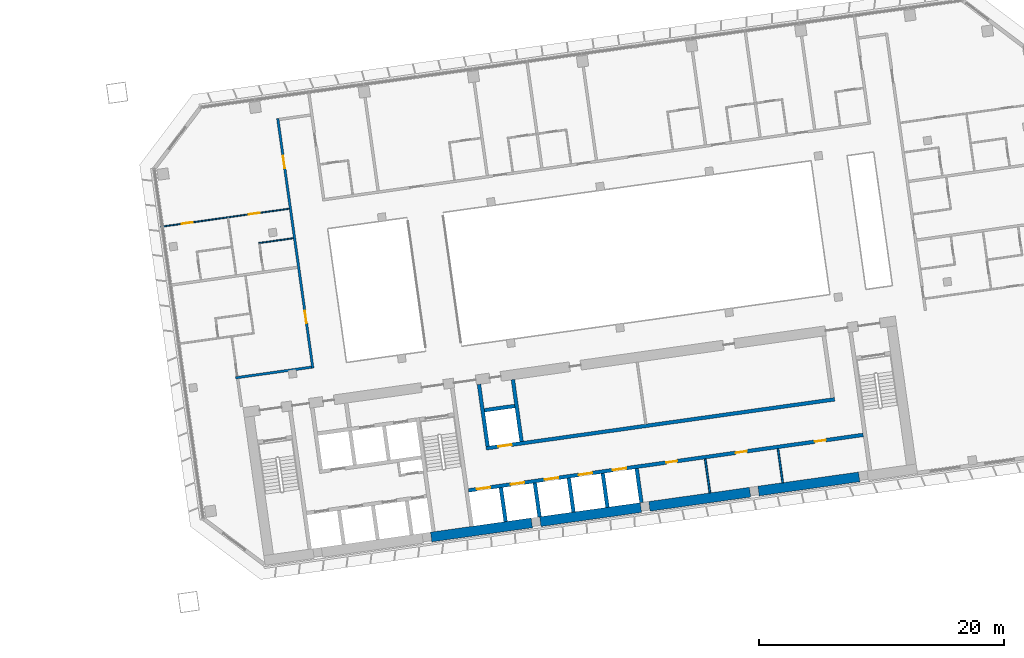
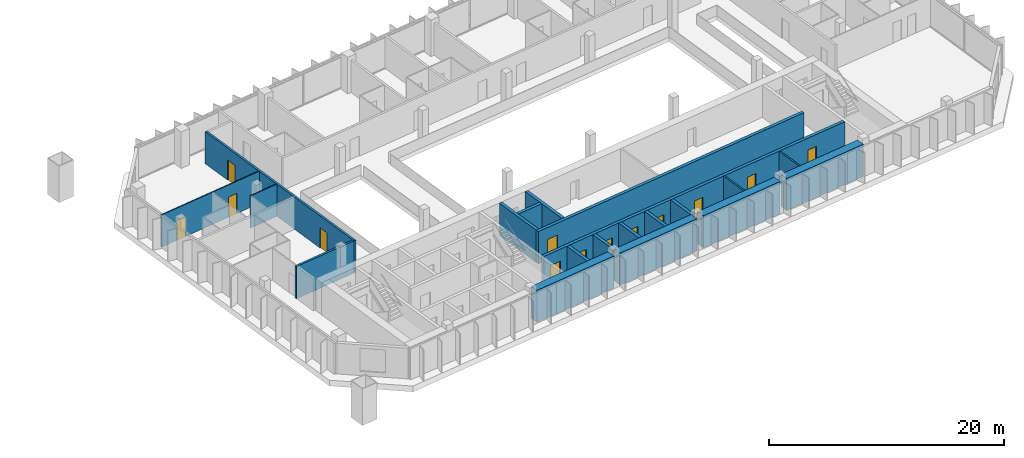
# One storey, part 19 of 26: 20 walls, 13 doors, 13 openings.
"""IFC4 building model written with IfcOpenShell, lengths in metres."""

from ifc_helpers import new_model, si_unit, direction, frame, frame_2d, origin, place, context, subcontext, project, spatial, rectangle, extrude, material, layer, layer_set, type_object, element, fill, save


model = new_model("IFC4")

# Units and contexts
model_context = context("Model", 3, precision=1e-05, world=origin(), true_north=direction((0.0, 1.0)))
body_context = subcontext(model_context, "Body", "Model", "MODEL_VIEW")
ifc_project = project(units=[si_unit("LENGTHUNIT", "METRE"), si_unit("AREAUNIT", "SQUARE_METRE"), si_unit("VOLUMEUNIT", "CUBIC_METRE"), si_unit("PLANEANGLEUNIT", "RADIAN"), si_unit("MASSUNIT", "GRAM", prefix="KILO")], contexts=[model_context])

# Site, building, storey
site_placement = place(None, origin())
site = spatial("IfcSite", under=ifc_project, at=site_placement, CompositionType="ELEMENT")
building_placement = place(site_placement, origin())
building = spatial("IfcBuilding", under=site, at=building_placement, Name="Mirante Cascada Hotel Towers", CompositionType="ELEMENT")
storey_placement = place(building_placement, frame((0.0, 0.0, 113.9)))
storey = spatial("IfcBuildingStorey", under=building, at=storey_placement, Name="L25", CompositionType="ELEMENT", Elevation=113.9)

# Wall
ifc_material_1 = material(Name="Fire-rated plasterboard on metal studs")
ifc_layer_1 = layer(ifc_material_1, 0.2)
ifc_layer_set_1 = layer_set([ifc_layer_1], Name="Compartment wall 200 EI 120")
wall_type_1 = type_object("IfcWallType", Name="Compartment wall 200 EI 120", PredefinedType="PARTITIONING", material=ifc_layer_set_1)
wall_1_placement = place(storey_placement, frame((34.7809, -4.7615, 0.0), z_axis=(0.0, 0.0, 1.0), x_axis=(0.9902685, 0.1391698, 0.0)))
element("IfcWall", 1, at=wall_1_placement, inside=storey, type_object=wall_type_1, Name="Wall 2-L25-02", PredefinedType="PARTITIONING", context=body_context, shape_type="SweptSolid", body=[
    extrude(rectangle(XDim=6.2499, YDim=0.2, at=frame_2d((3.125, 0.0))), origin(), (0.0, 0.0, 1.0), 3.35),
])

# Wall, openings, doors
wall_2_placement = place(storey_placement, frame((38.216, 16.4227, 0.0), z_axis=(0.0, 0.0, 1.0), x_axis=(0.1391749, -0.9902678, 0.0)))
wall_2 = element("IfcWall", 2, at=wall_2_placement, inside=storey, type_object=wall_type_1, Name="Wall 2-L25-33", PredefinedType="PARTITIONING", context=body_context, shape_type="SweptSolid", body=[
    extrude(rectangle(XDim=20.6, YDim=0.2, at=frame_2d((10.3, 0.0))), origin(), (0.0, 0.0, 1.0), 3.35),
])
opening_1_placement = place(wall_2_placement, frame((15.8834, 0.0, 0.0)))
opening_1 = element("IfcOpeningElement", 3, at=opening_1_placement, cuts=wall_2, Name="Opening D2-L25-26", PredefinedType="OPENING", context=body_context, shape_type="SweptSolid", body=[
    extrude(rectangle(XDim=1.0, YDim=2.1, at=frame_2d((0.5, 1.05))), frame((0.0, 0.1, 0.0), z_axis=(0.0, -1.0, 0.0), x_axis=(1.0, 0.0, 0.0)), (0.0, 0.0, 1.0), 0.2),
])
opening_2_placement = place(wall_2_placement, frame((3.1, 0.0, 0.0)))
opening_2 = element("IfcOpeningElement", 4, at=opening_2_placement, cuts=wall_2, Name="Opening D2-L25-27", PredefinedType="OPENING", context=body_context, shape_type="SweptSolid", body=[
    extrude(rectangle(XDim=1.0, YDim=2.1, at=frame_2d((0.5, 1.05))), frame((0.0, 0.1, 0.0), z_axis=(0.0, -1.0, 0.0), x_axis=(1.0, 0.0, 0.0)), (0.0, 0.0, 1.0), 0.2),
])
ifc_material_2 = material(Name="Fire-rated timber door leaf", Category="wood")
door_type_1 = type_object("IfcDoorType", Name="Entrance door DG1 1000x2100 EI 60", OperationType="SINGLE_SWING_LEFT", PredefinedType="DOOR", material=ifc_material_2)
door_1_placement = place(opening_1_placement, frame((1.0, 0.0, 0.0), z_axis=(0.0, 0.0, 1.0), x_axis=(-1.0, 0.0, 0.0)))
door_1 = element("IfcDoor", 5, at=door_1_placement, inside=storey, type_object=door_type_1, Name="Door D2-L25-26", OperationType="SINGLE_SWING_RIGHT", OverallHeight=2.1, OverallWidth=1.0, PredefinedType="DOOR", context=body_context, shape_type="SweptSolid", body=[
    extrude(rectangle(XDim=1.0, YDim=2.1, at=frame_2d((0.5, 1.05))), frame((0.0, 0.025, 0.0), z_axis=(0.0, -1.0, 0.0), x_axis=(1.0, 0.0, 0.0)), (0.0, 0.0, 1.0), 0.05),
])
fill(opening_1, door_1)
door_2_placement = place(opening_2_placement, frame((1.0, 0.0, 0.0), z_axis=(0.0, 0.0, 1.0), x_axis=(-1.0, 0.0, 0.0)))
door_2 = element("IfcDoor", 6, at=door_2_placement, inside=storey, type_object=door_type_1, Name="Door D2-L25-27", OperationType="SINGLE_SWING_RIGHT", OverallHeight=2.1, OverallWidth=1.0, PredefinedType="DOOR", context=body_context, shape_type="SweptSolid", body=[
    extrude(rectangle(XDim=1.0, YDim=2.1, at=frame_2d((0.5, 1.05))), frame((0.0, 0.025, 0.0), z_axis=(0.0, -1.0, 0.0), x_axis=(1.0, 0.0, 0.0)), (0.0, 0.0, 1.0), 0.05),
])
fill(opening_2, door_2)

# Walls
ifc_material_3 = material(Name="Masonry block", Category="masonry")
ifc_layer_2 = layer(ifc_material_3, 0.15)
ifc_layer_set_2 = layer_set([ifc_layer_2], Name="Core room partition 150 block EI 30")
wall_type_2 = type_object("IfcWallType", Name="Core room partition 150 block EI 30", PredefinedType="PARTITIONING", material=ifc_layer_set_2)
wall_3_placement = place(storey_placement, frame((73.5161, -14.1621, 0.0), z_axis=(0.0, 0.0, 1.0), x_axis=(-0.139176, 0.9902677, 0.0)))
element("IfcWall", 7, at=wall_3_placement, inside=storey, type_object=wall_type_2, Name="Core wall partition T2 L25 4", PredefinedType="PARTITIONING", context=body_context, shape_type="SweptSolid", body=[
    extrude(rectangle(XDim=2.8001, YDim=0.15, at=frame_2d((1.4, 0.0))), origin(), (0.0, 0.0, 1.0), 3.35),
])
wall_4_placement = place(storey_placement, frame((79.4577, -13.327, 0.0), z_axis=(0.0, 0.0, 1.0), x_axis=(-0.1391459, 0.9902719, 0.0)))
element("IfcWall", 8, at=wall_4_placement, inside=storey, type_object=wall_type_2, Name="Core wall partition T2 L25 5", PredefinedType="PARTITIONING", context=body_context, shape_type="SweptSolid", body=[
    extrude(rectangle(XDim=2.7999, YDim=0.15, at=frame_2d((1.4, 0.0))), origin(), (0.0, 0.0, 1.0), 3.35),
])
ifc_material_4 = material(Name="Plasterboard on metal studs")
ifc_layer_3 = layer(ifc_material_4, 0.1)
ifc_layer_set_3 = layer_set([ifc_layer_3], Name="Partition 100")
wall_type_3 = type_object("IfcWallType", Name="Partition 100", PredefinedType="PARTITIONING", material=ifc_layer_set_3)
wall_5_placement = place(storey_placement, frame((36.6679, 6.2415, 0.0), z_axis=(0.0, 0.0, 1.0), x_axis=(0.9902704, 0.1391564, 0.0)))
element("IfcWall", 9, at=wall_5_placement, inside=storey, type_object=wall_type_3, Name="Wall 2-L25-12", PredefinedType="PARTITIONING", context=body_context, shape_type="SweptSolid", body=[
    extrude(rectangle(XDim=2.85, YDim=0.1, at=frame_2d((1.425, 0.0))), origin(), (0.0, 0.0, 1.0), 3.35),
])

# Wall, openings, doors
wall_6_placement = place(storey_placement, frame((39.1515, 9.0479, 0.0), z_axis=(0.0, 0.0, 1.0), x_axis=(-0.9902671, -0.1391797, 0.0)))
wall_6 = element("IfcWall", 10, at=wall_6_placement, inside=storey, type_object=wall_type_3, Name="Wall 2-L25-15", PredefinedType="PARTITIONING", context=body_context, shape_type="SweptSolid", body=[
    extrude(rectangle(XDim=10.6, YDim=0.1, at=frame_2d((5.3, 0.0))), origin(), (0.0, 0.0, 1.0), 3.35),
])
opening_3_placement = place(wall_6_placement, frame((7.975, 0.0, 0.0)))
opening_3 = element("IfcOpeningElement", 11, at=opening_3_placement, cuts=wall_6, Name="Opening D2-L25-03", PredefinedType="OPENING", context=body_context, shape_type="SweptSolid", body=[
    extrude(rectangle(XDim=0.9, YDim=2.1, at=frame_2d((0.45, 1.05))), frame((0.0, 0.05, 0.0), z_axis=(0.0, -1.0, 0.0), x_axis=(1.0, 0.0, 0.0)), (0.0, 0.0, 1.0), 0.1),
])
opening_4_placement = place(wall_6_placement, frame((2.425, 0.0, 0.0)))
opening_4 = element("IfcOpeningElement", 12, at=opening_4_placement, cuts=wall_6, Name="Opening D2-L25-04", PredefinedType="OPENING", context=body_context, shape_type="SweptSolid", body=[
    extrude(rectangle(XDim=0.9, YDim=2.1, at=frame_2d((0.45, 1.05))), frame((0.0, 0.05, 0.0), z_axis=(0.0, -1.0, 0.0), x_axis=(1.0, 0.0, 0.0)), (0.0, 0.0, 1.0), 0.1),
])
ifc_material_5 = material(Name="Timber door leaf", Category="wood")
door_type_2 = type_object("IfcDoorType", Name="Room door DG3 900x2100", OperationType="SINGLE_SWING_LEFT", PredefinedType="DOOR", material=ifc_material_5)
door_3_placement = place(opening_3_placement, frame((0.9, 0.0, 0.0), z_axis=(0.0, 0.0, 1.0), x_axis=(-1.0, 0.0, 0.0)))
door_3 = element("IfcDoor", 13, at=door_3_placement, inside=storey, type_object=door_type_2, Name="Door D2-L25-03", OperationType="SINGLE_SWING_RIGHT", OverallHeight=2.1, OverallWidth=0.9, PredefinedType="DOOR", context=body_context, shape_type="SweptSolid", body=[
    extrude(rectangle(XDim=0.9, YDim=2.1, at=frame_2d((0.45, 1.05))), frame((0.0, 0.025, 0.0), z_axis=(0.0, -1.0, 0.0), x_axis=(1.0, 0.0, 0.0)), (0.0, 0.0, 1.0), 0.05),
])
fill(opening_3, door_3)
door_4_placement = place(opening_4_placement, frame((0.9, 0.0, 0.0), z_axis=(0.0, 0.0, 1.0), x_axis=(-1.0, 0.0, 0.0)))
door_4 = element("IfcDoor", 14, at=door_4_placement, inside=storey, type_object=door_type_2, Name="Door D2-L25-04", OperationType="SINGLE_SWING_RIGHT", OverallHeight=2.1, OverallWidth=0.9, PredefinedType="DOOR", context=body_context, shape_type="SweptSolid", body=[
    extrude(rectangle(XDim=0.9, YDim=2.1, at=frame_2d((0.45, 1.05))), frame((0.0, 0.025, 0.0), z_axis=(0.0, -1.0, 0.0), x_axis=(1.0, 0.0, 0.0)), (0.0, 0.0, 1.0), 0.05),
])
fill(opening_4, door_4)

ifc_material_6 = material(Name="Concrete C50/60", Category="concrete")
ifc_layer_4 = layer(ifc_material_6, 0.3)
ifc_layer_set_4 = layer_set([ifc_layer_4], Name="RC core wall 300 C50/60")
wall_type_4 = type_object("IfcWallType", Name="RC core wall 300 C50/60", PredefinedType="SHEAR", material=ifc_layer_set_4)
wall_7_placement = place(storey_placement, frame((53.7953, -13.9547, 0.0), z_axis=(0.0, 0.0, 1.0), x_axis=(0.990268, 0.1391733, 0.0)))
wall_7 = element("IfcWall", 15, at=wall_7_placement, inside=storey, type_object=wall_type_4, Name="Core wall T2:L25:24", PredefinedType="SHEAR", context=body_context, shape_type="SweptSolid", body=[
    extrude(rectangle(XDim=32.5501, YDim=0.3, at=frame_2d((16.275, 0.0))), origin(), (0.0, 0.0, 1.0), 3.35),
])
opening_5_placement = place(wall_7_placement, frame((0.7, 0.0, 0.0)))
opening_5 = element("IfcOpeningElement", 16, at=opening_5_placement, cuts=wall_7, Name="Opening LD", PredefinedType="OPENING", context=body_context, shape_type="SweptSolid", body=[
    extrude(rectangle(XDim=1.1, YDim=2.1, at=frame_2d((0.55, 1.05))), frame((0.0, 0.15, 0.0), z_axis=(0.0, -1.0, 0.0), x_axis=(1.0, 0.0, 0.0)), (0.0, 0.0, 1.0), 0.3),
])
opening_6_placement = place(wall_7_placement, frame((3.5, 0.0, 0.0)))
opening_6 = element("IfcOpeningElement", 17, at=opening_6_placement, cuts=wall_7, Name="Opening LD", PredefinedType="OPENING", context=body_context, shape_type="SweptSolid", body=[
    extrude(rectangle(XDim=1.1, YDim=2.1, at=frame_2d((0.55, 1.05))), frame((0.0, 0.15, 0.0), z_axis=(0.0, -1.0, 0.0), x_axis=(1.0, 0.0, 0.0)), (0.0, 0.0, 1.0), 0.3),
])
opening_7_placement = place(wall_7_placement, frame((6.3, 0.0, 0.0)))
opening_7 = element("IfcOpeningElement", 18, at=opening_7_placement, cuts=wall_7, Name="Opening LD", PredefinedType="OPENING", context=body_context, shape_type="SweptSolid", body=[
    extrude(rectangle(XDim=1.1, YDim=2.1, at=frame_2d((0.55, 1.05))), frame((0.0, 0.15, 0.0), z_axis=(0.0, -1.0, 0.0), x_axis=(1.0, 0.0, 0.0)), (0.0, 0.0, 1.0), 0.3),
])
opening_8_placement = place(wall_7_placement, frame((9.1, 0.0, 0.0)))
opening_8 = element("IfcOpeningElement", 19, at=opening_8_placement, cuts=wall_7, Name="Opening LD", PredefinedType="OPENING", context=body_context, shape_type="SweptSolid", body=[
    extrude(rectangle(XDim=1.1, YDim=2.1, at=frame_2d((0.55, 1.05))), frame((0.0, 0.15, 0.0), z_axis=(0.0, -1.0, 0.0), x_axis=(1.0, 0.0, 0.0)), (0.0, 0.0, 1.0), 0.3),
])
opening_9_placement = place(wall_7_placement, frame((11.9, 0.0, 0.0)))
opening_9 = element("IfcOpeningElement", 20, at=opening_9_placement, cuts=wall_7, Name="Opening LD", PredefinedType="OPENING", context=body_context, shape_type="SweptSolid", body=[
    extrude(rectangle(XDim=1.1, YDim=2.1, at=frame_2d((0.55, 1.05))), frame((0.0, 0.15, 0.0), z_axis=(0.0, -1.0, 0.0), x_axis=(1.0, 0.0, 0.0)), (0.0, 0.0, 1.0), 0.3),
])
opening_10_placement = place(wall_7_placement, frame((16.3, 0.0, 0.0)))
opening_10 = element("IfcOpeningElement", 21, at=opening_10_placement, cuts=wall_7, Name="Opening D2-25-C25", PredefinedType="OPENING", context=body_context, shape_type="SweptSolid", body=[
    extrude(rectangle(XDim=0.9, YDim=2.1, at=frame_2d((0.45, 1.05))), frame((0.0, 0.15, 0.0), z_axis=(0.0, -1.0, 0.0), x_axis=(1.0, 0.0, 0.0)), (0.0, 0.0, 1.0), 0.3),
])
opening_11_placement = place(wall_7_placement, frame((22.05, 0.0, 0.0)))
opening_11 = element("IfcOpeningElement", 22, at=opening_11_placement, cuts=wall_7, Name="Opening D2-25-C26", PredefinedType="OPENING", context=body_context, shape_type="SweptSolid", body=[
    extrude(rectangle(XDim=0.9, YDim=2.1, at=frame_2d((0.45, 1.05))), frame((0.0, 0.15, 0.0), z_axis=(0.0, -1.0, 0.0), x_axis=(1.0, 0.0, 0.0)), (0.0, 0.0, 1.0), 0.3),
])
opening_12_placement = place(wall_7_placement, frame((28.575, 0.0, 0.0)))
opening_12 = element("IfcOpeningElement", 23, at=opening_12_placement, cuts=wall_7, Name="Opening D2-25-C27", PredefinedType="OPENING", context=body_context, shape_type="SweptSolid", body=[
    extrude(rectangle(XDim=0.9, YDim=2.1, at=frame_2d((0.45, 1.05))), frame((0.0, 0.15, 0.0), z_axis=(0.0, -1.0, 0.0), x_axis=(1.0, 0.0, 0.0)), (0.0, 0.0, 1.0), 0.3),
])
ifc_material_7 = material(Name="Hollow metal fire door leaf")
door_type_3 = type_object("IfcDoorType", Name="Fire door 900x2100 FD60", OperationType="NOTDEFINED", PredefinedType="DOOR", material=ifc_material_7)
door_5_placement = place(opening_10_placement, frame((0.9, 0.0, 0.0), z_axis=(0.0, 0.0, 1.0), x_axis=(-1.0, 0.0, 0.0)))
door_5 = element("IfcDoor", 24, at=door_5_placement, inside=storey, type_object=door_type_3, Name="Room door T2 L25 25", OperationType="SINGLE_SWING_RIGHT", OverallHeight=2.1, OverallWidth=0.9, PredefinedType="DOOR", context=body_context, shape_type="SweptSolid", body=[
    extrude(rectangle(XDim=0.9, YDim=2.1, at=frame_2d((0.45, 1.05))), frame((0.0, 0.025, 0.0), z_axis=(0.0, -1.0, 0.0), x_axis=(1.0, 0.0, 0.0)), (0.0, 0.0, 1.0), 0.05),
])
fill(opening_10, door_5)
door_6_placement = place(opening_11_placement, frame((0.9, 0.0, 0.0), z_axis=(0.0, 0.0, 1.0), x_axis=(-1.0, 0.0, 0.0)))
door_6 = element("IfcDoor", 25, at=door_6_placement, inside=storey, type_object=door_type_3, Name="Room door T2 L25 26", OperationType="SINGLE_SWING_RIGHT", OverallHeight=2.1, OverallWidth=0.9, PredefinedType="DOOR", context=body_context, shape_type="SweptSolid", body=[
    extrude(rectangle(XDim=0.9, YDim=2.1, at=frame_2d((0.45, 1.05))), frame((0.0, 0.025, 0.0), z_axis=(0.0, -1.0, 0.0), x_axis=(1.0, 0.0, 0.0)), (0.0, 0.0, 1.0), 0.05),
])
fill(opening_11, door_6)
door_7_placement = place(opening_12_placement, frame((0.9, 0.0, 0.0), z_axis=(0.0, 0.0, 1.0), x_axis=(-1.0, 0.0, 0.0)))
door_7 = element("IfcDoor", 26, at=door_7_placement, inside=storey, type_object=door_type_3, Name="Room door T2 L25 27", OperationType="SINGLE_SWING_RIGHT", OverallHeight=2.1, OverallWidth=0.9, PredefinedType="DOOR", context=body_context, shape_type="SweptSolid", body=[
    extrude(rectangle(XDim=0.9, YDim=2.1, at=frame_2d((0.45, 1.05))), frame((0.0, 0.025, 0.0), z_axis=(0.0, -1.0, 0.0), x_axis=(1.0, 0.0, 0.0)), (0.0, 0.0, 1.0), 0.05),
])
fill(opening_12, door_7)
ifc_material_8 = material(Name="Stainless steel", Category="steel")
door_type_4 = type_object("IfcDoorType", Name="Lift landing door 1100x2100 EI 120", OperationType="DOUBLE_DOOR_SLIDING", PredefinedType="DOOR", material=ifc_material_8)
door_8_placement = place(opening_5_placement, origin())
door_8 = element("IfcDoor", 27, at=door_8_placement, inside=storey, type_object=door_type_4, Name="Lift landing door LR2-1 L25", OperationType="DOUBLE_DOOR_SLIDING", OverallHeight=2.1, OverallWidth=1.1, PredefinedType="DOOR", context=body_context, shape_type="SweptSolid", body=[
    extrude(rectangle(XDim=0.545, YDim=2.1, at=frame_2d((0.2725, 1.05))), frame((0.0, 0.025, 0.0), z_axis=(0.0, -1.0, 0.0), x_axis=(1.0, 0.0, 0.0)), (0.0, 0.0, 1.0), 0.05),
    extrude(rectangle(XDim=0.545, YDim=2.1, at=frame_2d((0.8275, 1.05))), frame((0.0, 0.025, 0.0), z_axis=(0.0, -1.0, 0.0), x_axis=(1.0, 0.0, 0.0)), (0.0, 0.0, 1.0), 0.05),
])
fill(opening_5, door_8)
door_9_placement = place(opening_6_placement, origin())
door_9 = element("IfcDoor", 28, at=door_9_placement, inside=storey, type_object=door_type_4, Name="Lift landing door LR2-2 L25", OperationType="DOUBLE_DOOR_SLIDING", OverallHeight=2.1, OverallWidth=1.1, PredefinedType="DOOR", context=body_context, shape_type="SweptSolid", body=[
    extrude(rectangle(XDim=0.545, YDim=2.1, at=frame_2d((0.2725, 1.05))), frame((0.0, 0.025, 0.0), z_axis=(0.0, -1.0, 0.0), x_axis=(1.0, 0.0, 0.0)), (0.0, 0.0, 1.0), 0.05),
    extrude(rectangle(XDim=0.545, YDim=2.1, at=frame_2d((0.8275, 1.05))), frame((0.0, 0.025, 0.0), z_axis=(0.0, -1.0, 0.0), x_axis=(1.0, 0.0, 0.0)), (0.0, 0.0, 1.0), 0.05),
])
fill(opening_6, door_9)
door_10_placement = place(opening_7_placement, origin())
door_10 = element("IfcDoor", 29, at=door_10_placement, inside=storey, type_object=door_type_4, Name="Lift landing door SV2-1 L25", OperationType="DOUBLE_DOOR_SLIDING", OverallHeight=2.1, OverallWidth=1.1, PredefinedType="DOOR", context=body_context, shape_type="SweptSolid", body=[
    extrude(rectangle(XDim=0.545, YDim=2.1, at=frame_2d((0.2725, 1.05))), frame((0.0, 0.025, 0.0), z_axis=(0.0, -1.0, 0.0), x_axis=(1.0, 0.0, 0.0)), (0.0, 0.0, 1.0), 0.05),
    extrude(rectangle(XDim=0.545, YDim=2.1, at=frame_2d((0.8275, 1.05))), frame((0.0, 0.025, 0.0), z_axis=(0.0, -1.0, 0.0), x_axis=(1.0, 0.0, 0.0)), (0.0, 0.0, 1.0), 0.05),
])
fill(opening_7, door_10)
door_11_placement = place(opening_8_placement, origin())
door_11 = element("IfcDoor", 30, at=door_11_placement, inside=storey, type_object=door_type_4, Name="Lift landing door SV2-2 L25", OperationType="DOUBLE_DOOR_SLIDING", OverallHeight=2.1, OverallWidth=1.1, PredefinedType="DOOR", context=body_context, shape_type="SweptSolid", body=[
    extrude(rectangle(XDim=0.545, YDim=2.1, at=frame_2d((0.2725, 1.05))), frame((0.0, 0.025, 0.0), z_axis=(0.0, -1.0, 0.0), x_axis=(1.0, 0.0, 0.0)), (0.0, 0.0, 1.0), 0.05),
    extrude(rectangle(XDim=0.545, YDim=2.1, at=frame_2d((0.8275, 1.05))), frame((0.0, 0.025, 0.0), z_axis=(0.0, -1.0, 0.0), x_axis=(1.0, 0.0, 0.0)), (0.0, 0.0, 1.0), 0.05),
])
fill(opening_8, door_11)
door_12_placement = place(opening_9_placement, origin())
door_12 = element("IfcDoor", 31, at=door_12_placement, inside=storey, type_object=door_type_4, Name="Lift landing door SV2-3 L25", OperationType="DOUBLE_DOOR_SLIDING", OverallHeight=2.1, OverallWidth=1.1, PredefinedType="DOOR", context=body_context, shape_type="SweptSolid", body=[
    extrude(rectangle(XDim=0.545, YDim=2.1, at=frame_2d((0.2725, 1.05))), frame((0.0, 0.025, 0.0), z_axis=(0.0, -1.0, 0.0), x_axis=(1.0, 0.0, 0.0)), (0.0, 0.0, 1.0), 0.05),
    extrude(rectangle(XDim=0.545, YDim=2.1, at=frame_2d((0.8275, 1.05))), frame((0.0, 0.025, 0.0), z_axis=(0.0, -1.0, 0.0), x_axis=(1.0, 0.0, 0.0)), (0.0, 0.0, 1.0), 0.05),
])
fill(opening_9, door_12)

# Walls
for number, where, z_axis, x_axis, name in (
    (32, (56.8301, -16.5072, 0.0), (0.0, 0.0, 1.0), (-0.139176, 0.9902677, 0.0), "Core wall T2:L25:25"),
    (33, (59.6029, -16.1175, 0.0), (0.0, 0.0, 1.0), (-0.139176, 0.9902677, 0.0), "Core wall T2:L25:26"),
    (34, (62.3756, -15.7278, 0.0), (0.0, 0.0, 1.0), (-0.139176, 0.9902677, 0.0), "Core wall T2:L25:27"),
    (35, (65.1484, -15.3381, 0.0), (0.0, 0.0, 1.0), (-0.139176, 0.9902677, 0.0), "Core wall T2:L25:28"),
):
    element("IfcWall", number, at=place(storey_placement, frame(where, z_axis=z_axis, x_axis=x_axis)), inside=storey, type_object=wall_type_4, Name=name, PredefinedType="SHEAR", context=body_context, shape_type="SweptSolid", body=[
        extrude(rectangle(XDim=2.8001, YDim=0.3, at=frame_2d((1.4, 0.0))), origin(), (0.0, 0.0, 1.0), 3.35),
    ])
wall_8_placement = place(storey_placement, frame((67.9211, -14.9484, 0.0), z_axis=(0.0, 0.0, 1.0), x_axis=(-0.139181, 0.990267, 0.0)))
element("IfcWall", 36, at=wall_8_placement, inside=storey, type_object=wall_type_4, Name="Core wall T2:L25:29", PredefinedType="SHEAR", context=body_context, shape_type="SweptSolid", body=[
    extrude(rectangle(XDim=2.8, YDim=0.3, at=frame_2d((1.4, 0.0))), origin(), (0.0, 0.0, 1.0), 3.35),
])

# Wall, opening, door
wall_9_placement = place(storey_placement, frame((55.2315, -10.5214, 0.0), z_axis=(0.0, 0.0, 1.0), x_axis=(0.9902682, 0.1391722, 0.0)))
wall_9 = element("IfcWall", 37, at=wall_9_placement, inside=storey, type_object=wall_type_4, Name="Core wall T2:L25:32", PredefinedType="SHEAR", context=body_context, shape_type="SweptSolid", body=[
    extrude(rectangle(XDim=28.75, YDim=0.3, at=frame_2d((14.375, 0.0))), origin(), (0.0, 0.0, 1.0), 3.35),
])
opening_13_placement = place(wall_9_placement, frame((1.0, 0.0, 0.0)))
opening_13 = element("IfcOpeningElement", 38, at=opening_13_placement, cuts=wall_9, Name="Opening LD", PredefinedType="OPENING", context=body_context, shape_type="SweptSolid", body=[
    extrude(rectangle(XDim=1.1, YDim=2.1, at=frame_2d((0.55, 1.05))), frame((0.0, 0.15, 0.0), z_axis=(0.0, -1.0, 0.0), x_axis=(1.0, 0.0, 0.0)), (0.0, 0.0, 1.0), 0.3),
])
door_13_placement = place(opening_13_placement, origin())
door_13 = element("IfcDoor", 39, at=door_13_placement, inside=storey, type_object=door_type_4, Name="Lift landing door LR2-3 L25", OperationType="DOUBLE_DOOR_SLIDING", OverallHeight=2.1, OverallWidth=1.1, PredefinedType="DOOR", context=body_context, shape_type="SweptSolid", body=[
    extrude(rectangle(XDim=0.545, YDim=2.1, at=frame_2d((0.2725, 1.05))), frame((0.0, 0.025, 0.0), z_axis=(0.0, -1.0, 0.0), x_axis=(1.0, 0.0, 0.0)), (0.0, 0.0, 1.0), 0.05),
    extrude(rectangle(XDim=0.545, YDim=2.1, at=frame_2d((0.8275, 1.05))), frame((0.0, 0.025, 0.0), z_axis=(0.0, -1.0, 0.0), x_axis=(1.0, 0.0, 0.0)), (0.0, 0.0, 1.0), 0.05),
])
fill(opening_13, door_13)

# Walls
for number, where, z_axis, x_axis, name in (
    (40, (55.3592, -10.352, 0.0), (0.0, 0.0, 1.0), (-0.1391755, 0.9902677, 0.0), "Core wall T2:L25:33"),
    (41, (58.1319, -9.9623, 0.0), (0.0, 0.0, 1.0), (-0.1391755, 0.9902677, 0.0), "Core wall T2:L25:35"),
):
    element("IfcWall", number, at=place(storey_placement, frame(where, z_axis=z_axis, x_axis=x_axis)), inside=storey, type_object=wall_type_4, Name=name, PredefinedType="SHEAR", context=body_context, shape_type="SweptSolid", body=[
        extrude(rectangle(XDim=5.1, YDim=0.3, at=frame_2d((2.55, 0.0))), origin(), (0.0, 0.0, 1.0), 3.35),
    ])
wall_10_placement = place(storey_placement, frame((55.0971, -7.4098, 0.0), z_axis=(0.0, 0.0, 1.0), x_axis=(0.9902701, 0.1391586, 0.0)))
element("IfcWall", 42, at=wall_10_placement, inside=storey, type_object=wall_type_4, Name="Core wall T2:L25:36", PredefinedType="SHEAR", context=body_context, shape_type="SweptSolid", body=[
    extrude(rectangle(XDim=2.5, YDim=0.3, at=frame_2d((1.25, 0.0))), origin(), (0.0, 0.0, 1.0), 3.35),
])
ifc_material_9 = material(Name="Concrete C50/60", Category="concrete")
ifc_layer_5 = layer(ifc_material_9, 0.8)
ifc_layer_set_5 = layer_set([ifc_layer_5], Name="RC core wall 800 C50/60")
wall_type_5 = type_object("IfcWallType", Name="RC core wall 800 C50/60", PredefinedType="SHEAR", material=ifc_layer_set_5)
wall_11_placement = place(storey_placement, frame((50.7461, -17.7661, 0.0), z_axis=(0.0, 0.0, 1.0), x_axis=(0.9902686, 0.1391692, 0.0)))
element("IfcWall", 43, at=wall_11_placement, inside=storey, type_object=wall_type_5, Name="Core wall T2:L25:1.3", PredefinedType="SHEAR", context=body_context, shape_type="SweptSolid", body=[
    extrude(rectangle(XDim=8.3, YDim=0.8, at=frame_2d((4.15, 0.0))), origin(), (0.0, 0.0, 1.0), 3.35),
])
for number, where, z_axis, x_axis, name in (
    (44, (59.6585, -16.5136, 0.0), (0.0, 0.0, 1.0), (0.9902672, 0.1391793, 0.0), "Core wall T2:L25:1.4"),
    (45, (68.5709, -15.261, 0.0), (0.0, 0.0, 1.0), (0.9902689, 0.1391675, 0.0), "Core wall T2:L25:1.5"),
):
    element("IfcWall", number, at=place(storey_placement, frame(where, z_axis=z_axis, x_axis=x_axis)), inside=storey, type_object=wall_type_5, Name=name, PredefinedType="SHEAR", context=body_context, shape_type="SweptSolid", body=[
        extrude(rectangle(XDim=8.3001, YDim=0.8, at=frame_2d((4.15, 0.0))), origin(), (0.0, 0.0, 1.0), 3.35),
    ])
wall_12_placement = place(storey_placement, frame((77.4834, -14.0085, 0.0), z_axis=(0.0, 0.0, 1.0), x_axis=(0.990267, 0.139181, 0.0)))
element("IfcWall", 46, at=wall_12_placement, inside=storey, type_object=wall_type_5, Name="Core wall T2:L25:1.6", PredefinedType="SHEAR", context=body_context, shape_type="SweptSolid", body=[
    extrude(rectangle(XDim=8.3, YDim=0.8, at=frame_2d((4.15, 0.0))), origin(), (0.0, 0.0, 1.0), 3.35),
])

save(model, "model.ifc")
